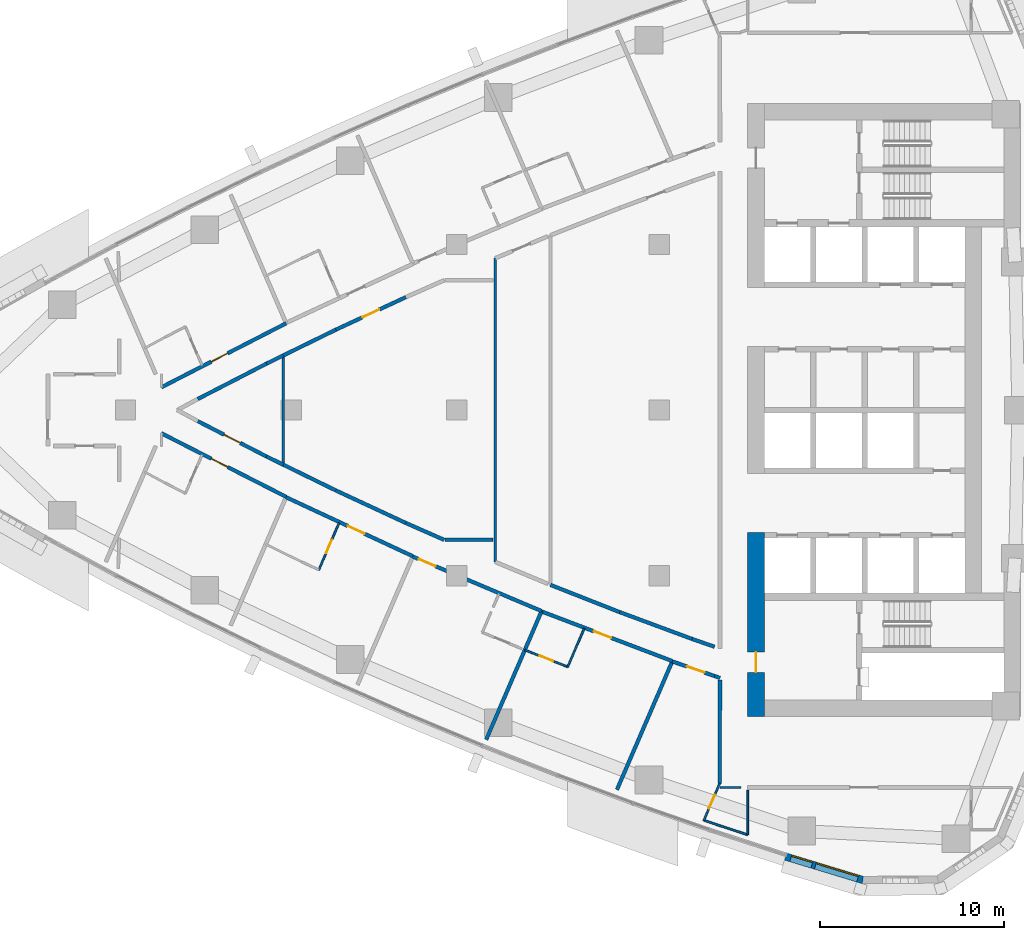
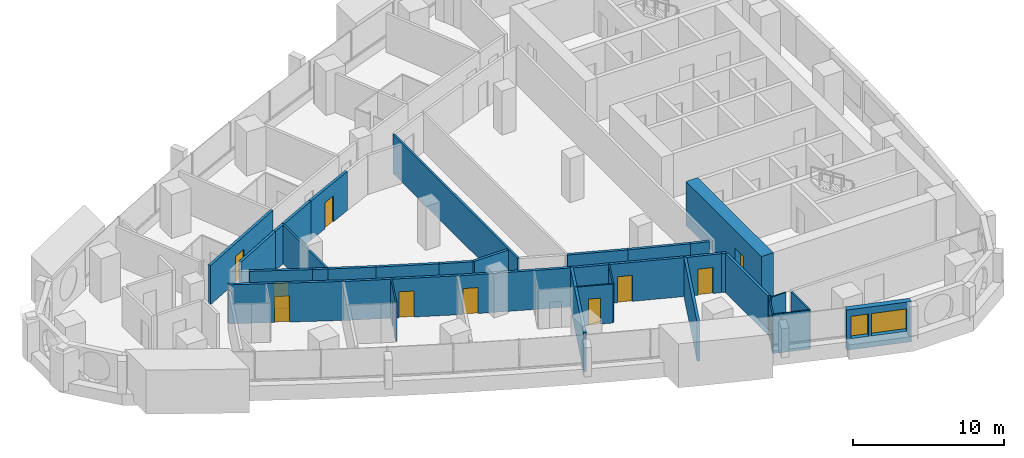
# One storey, part 9 of 17: 34 walls, 12 doors, 2 windows, 14 openings.
"""IFC4 building model written with IfcOpenShell, lengths in metres."""

from ifc_helpers import new_model, si_unit, direction, frame, frame_2d, origin, place, context, subcontext, project, spatial, polyline, rectangle, outline, extrude, material, layer, layer_set, type_object, element, fill, save


model = new_model("IFC4")

# Units and contexts
model_context = context("Model", 3, precision=1e-05, world=origin(), true_north=direction((0.0, 1.0)))
body_context = subcontext(model_context, "Body", "Model", "MODEL_VIEW")
ifc_project = project(units=[si_unit("LENGTHUNIT", "METRE"), si_unit("AREAUNIT", "SQUARE_METRE"), si_unit("VOLUMEUNIT", "CUBIC_METRE"), si_unit("PLANEANGLEUNIT", "RADIAN"), si_unit("MASSUNIT", "GRAM", prefix="KILO")], contexts=[model_context])

# Site, building, storey
site_placement = place(None, origin())
site = spatial("IfcSite", under=ifc_project, at=site_placement, CompositionType="ELEMENT")
building_placement = place(site_placement, origin())
building = spatial("IfcBuilding", under=site, at=building_placement, Name="Ostrand Prow Hotel Tower", CompositionType="ELEMENT")
storey_placement = place(building_placement, frame((0.0, 0.0, 162.14990234375)))
storey = spatial("IfcBuildingStorey", under=building, at=storey_placement, Name="L40", CompositionType="ELEMENT", Elevation=162.14990234375)

# Wall, opening, door
ifc_material_1 = material(Name="Concrete C70/85", Category="concrete")
ifc_layer_1 = layer(ifc_material_1, 0.89990234375)
ifc_layer_set_1 = layer_set([ifc_layer_1], Name="Concrete C70/85")
wall_type_1 = type_object("IfcWallType", Name="Core wall 900 C70/85", PredefinedType="SHEAR", material=ifc_layer_set_1)
wall_1_placement = place(storey_placement, frame((50.25, -16.64990234375, 0.0), z_axis=(0.0, 0.0, 1.0), x_axis=(0.0, 1.0, 0.0)))
wall_1 = element("IfcWall", 1, at=wall_1_placement, inside=storey, type_object=wall_type_1, Name="Core wall CW-W-S", PredefinedType="SHEAR", context=body_context, shape_type="SweptSolid", body=[
    extrude(rectangle(XDim=10.0, YDim=0.89990234375, at=frame_2d((5.0, 0.0))), origin(), (0.0, 0.0, 1.0), 3.550048828125),
])
opening_1_placement = place(wall_1_placement, frame((2.39990234375, 0.0, 0.0)))
opening_1 = element("IfcOpeningElement", 2, at=opening_1_placement, cuts=wall_1, Name="Opening FD1", PredefinedType="OPENING", context=body_context, shape_type="SweptSolid", body=[
    extrude(rectangle(XDim=1.10009765625, YDim=2.10009765625, at=frame_2d((0.550048828125, 1.050048828125))), frame((0.0, 0.4599609375, 0.0), z_axis=(0.0, -1.0, 0.0), x_axis=(1.0, 0.0, 0.0)), (0.0, 0.0, 1.0), 0.919921875),
])
ifc_material_2 = material(Name="Steel fire door", Category="steel")
door_type_1 = type_object("IfcDoorType", Name="Fire door 1100 EI120", OperationType="SINGLE_SWING_RIGHT", PredefinedType="DOOR", material=ifc_material_2)
door_1_placement = place(opening_1_placement, origin())
door_1 = element("IfcDoor", 3, at=door_1_placement, inside=storey, type_object=door_type_1, Name="FIRE DOOR", OperationType="SINGLE_SWING_RIGHT", OverallHeight=2.10009765625, OverallWidth=1.10009765625, PredefinedType="DOOR", context=body_context, shape_type="SweptSolid", body=[
    extrude(rectangle(XDim=1.10009765625, YDim=2.10009765625, at=frame_2d((0.550048828125, 1.050048828125))), frame((0.0, 0.02490234375, 0.0), z_axis=(0.0, -1.0, 0.0), x_axis=(1.0, 0.0, 0.0)), (0.0, 0.0, 1.0), 0.050048828125),
])
fill(opening_1, door_1)

ifc_material_3 = material(Name="Plasterboard partition")
ifc_layer_2 = layer(ifc_material_3, 0.10009765625)
ifc_layer_set_2 = layer_set([ifc_layer_2], Name="Plasterboard partition")
wall_type_2 = type_object("IfcWallType", Name="Partition 100 bathroom wall", PredefinedType="PARTITIONING", material=ifc_layer_set_2)
wall_2_placement = place(storey_placement, frame((27.602783203125, -6.1279296875, 0.0), z_axis=(0.0, 0.0, 1.0), x_axis=(-0.396018464604, -0.918242547311, 0.0)))
wall_2 = element("IfcWall", 4, at=wall_2_placement, inside=storey, type_object=wall_type_2, Name="BATHROOM WALL", PredefinedType="PARTITIONING", context=body_context, shape_type="SweptSolid", body=[
    extrude(rectangle(XDim=2.77783203125, YDim=0.10009765625, at=frame_2d((1.388916015625, 0.0))), origin(), (0.0, 0.0, 1.0), 3.150146484375),
])
opening_2_placement = place(wall_2_placement, frame((1.0, 0.0, 0.0)))
opening_2 = element("IfcOpeningElement", 5, at=opening_2_placement, cuts=wall_2, Name="Opening D2", PredefinedType="OPENING", context=body_context, shape_type="SweptSolid", body=[
    extrude(rectangle(XDim=0.800048828125, YDim=2.10009765625, at=frame_2d((0.39990234375, 1.050048828125))), frame((0.0, 0.06005859375, 0.0), z_axis=(0.0, -1.0, 0.0), x_axis=(1.0, 0.0, 0.0)), (0.0, 0.0, 1.0), 0.1201171875),
])
ifc_material_4 = material(Name="Timber door leaf", Category="wood")
door_type_2 = type_object("IfcDoorType", Name="Bathroom door 800", OperationType="SINGLE_SWING_LEFT", PredefinedType="DOOR", material=ifc_material_4)
door_2_placement = place(opening_2_placement, origin())
door_2 = element("IfcDoor", 6, at=door_2_placement, inside=storey, type_object=door_type_2, Name="DOOR", OperationType="SINGLE_SWING_LEFT", OverallHeight=2.10009765625, OverallWidth=0.800048828125, PredefinedType="DOOR", context=body_context, shape_type="SweptSolid", body=[
    extrude(rectangle(XDim=0.800048828125, YDim=2.10009765625, at=frame_2d((0.39990234375, 1.050048828125))), frame((0.0, 0.02490234375, 0.0), z_axis=(0.0, -1.0, 0.0), x_axis=(1.0, 0.0, 0.0)), (0.0, 0.0, 1.0), 0.050048828125),
])
fill(opening_2, door_2)

# Wall
wall_3_placement = place(storey_placement, frame((40.923095703125, -11.8564453125, 0.0), z_axis=(0.0, 0.0, 1.0), x_axis=(-0.39596178423, -0.918266990275, 0.0)))
element("IfcWall", 7, at=wall_3_placement, inside=storey, type_object=wall_type_2, Name="BATHROOM WALL", PredefinedType="PARTITIONING", context=body_context, shape_type="SweptSolid", body=[
    extrude(rectangle(XDim=2.2783203125, YDim=0.10009765625, at=frame_2d((1.13916015625, 0.0))), origin(), (0.0, 0.0, 1.0), 3.150146484375),
])

# Wall, opening, door
wall_4_placement = place(storey_placement, frame((40.02099609375, -13.948486328125, 0.0), z_axis=(0.0, 0.0, 1.0), x_axis=(-0.930568677441, 0.366117380856, 0.0)))
wall_4 = element("IfcWall", 8, at=wall_4_placement, inside=storey, type_object=wall_type_2, Name="BATHROOM WALL", PredefinedType="PARTITIONING", context=body_context, shape_type="SweptSolid", body=[
    extrude(rectangle(XDim=2.501220703125, YDim=0.10009765625, at=frame_2d((1.25048828125, 0.0))), origin(), (0.0, 0.0, 1.0), 3.150146484375),
])
opening_3_placement = place(wall_4_placement, frame((0.85009765625, 0.0, 0.0)))
opening_3 = element("IfcOpeningElement", 9, at=opening_3_placement, cuts=wall_4, Name="Opening D2", PredefinedType="OPENING", context=body_context, shape_type="SweptSolid", body=[
    extrude(rectangle(XDim=0.800048828125, YDim=2.10009765625, at=frame_2d((0.39990234375, 1.050048828125))), frame((0.0, 0.06005859375, 0.0), z_axis=(0.0, -1.0, 0.0), x_axis=(1.0, 0.0, 0.0)), (0.0, 0.0, 1.0), 0.1201171875),
])
door_3_placement = place(opening_3_placement, origin())
door_3 = element("IfcDoor", 10, at=door_3_placement, inside=storey, type_object=door_type_2, Name="DOOR", OperationType="SINGLE_SWING_LEFT", OverallHeight=2.10009765625, OverallWidth=0.800048828125, PredefinedType="DOOR", context=body_context, shape_type="SweptSolid", body=[
    extrude(rectangle(XDim=0.800048828125, YDim=2.10009765625, at=frame_2d((0.39990234375, 1.050048828125))), frame((0.0, 0.02490234375, 0.0), z_axis=(0.0, -1.0, 0.0), x_axis=(1.0, 0.0, 0.0)), (0.0, 0.0, 1.0), 0.050048828125),
])
fill(opening_3, door_3)

wall_5_placement = place(storey_placement, frame((47.416015625, -22.2890625, 0.0), z_axis=(0.0, 0.0, 1.0), x_axis=(0.396028123143, 0.918238381729, 0.0)))
wall_5 = element("IfcWall", 11, at=wall_5_placement, inside=storey, type_object=wall_type_2, Name="BATHROOM WALL", PredefinedType="PARTITIONING", context=body_context, shape_type="SweptSolid", body=[
    extrude(rectangle(XDim=2.1787109375, YDim=0.10009765625, at=frame_2d((1.08935546875, 0.0))), origin(), (0.0, 0.0, 1.0), 3.150146484375),
])
opening_4_placement = place(wall_5_placement, frame((0.699951171875, 0.0, 0.0)))
opening_4 = element("IfcOpeningElement", 12, at=opening_4_placement, cuts=wall_5, Name="Opening D2", PredefinedType="OPENING", context=body_context, shape_type="SweptSolid", body=[
    extrude(rectangle(XDim=0.800048828125, YDim=2.10009765625, at=frame_2d((0.39990234375, 1.050048828125))), frame((0.0, 0.06005859375, 0.0), z_axis=(0.0, -1.0, 0.0), x_axis=(1.0, 0.0, 0.0)), (0.0, 0.0, 1.0), 0.1201171875),
])
door_4_placement = place(opening_4_placement, origin())
door_4 = element("IfcDoor", 13, at=door_4_placement, inside=storey, type_object=door_type_2, Name="DOOR", OperationType="SINGLE_SWING_LEFT", OverallHeight=2.10009765625, OverallWidth=0.800048828125, PredefinedType="DOOR", context=body_context, shape_type="SweptSolid", body=[
    extrude(rectangle(XDim=0.800048828125, YDim=2.10009765625, at=frame_2d((0.39990234375, 1.050048828125))), frame((0.0, 0.02490234375, 0.0), z_axis=(0.0, -1.0, 0.0), x_axis=(1.0, 0.0, 0.0)), (0.0, 0.0, 1.0), 0.050048828125),
])
fill(opening_4, door_4)

# Walls
wall_6_placement = place(storey_placement, frame((48.298583984375, -20.5048828125, 0.0), z_axis=(0.0, 0.0, 1.0), x_axis=(1.0, 0.0, 0.0)))
element("IfcWall", 14, at=wall_6_placement, inside=storey, type_object=wall_type_2, Name="BATHROOM WALL", PredefinedType="PARTITIONING", context=body_context, shape_type="SweptSolid", body=[
    extrude(rectangle(XDim=1.13525390625, YDim=0.10009765625, at=frame_2d((0.567626953125, 0.0))), origin(), (0.0, 0.0, 1.0), 3.150146484375),
])
wall_7_placement = place(storey_placement, frame((49.800048828125, -20.65576171875, 0.0), z_axis=(0.0, 0.0, 1.0), x_axis=(0.0, -1.0, 0.0)))
element("IfcWall", 15, at=wall_7_placement, inside=storey, type_object=wall_type_2, Name="BATHROOM WALL", PredefinedType="PARTITIONING", context=body_context, shape_type="SweptSolid", body=[
    extrude(rectangle(XDim=2.41845703125, YDim=0.10009765625, at=frame_2d((1.209228515625, 0.0))), origin(), (0.0, 0.0, 1.0), 3.150146484375),
])
wall_8_placement = place(storey_placement, frame((49.800048828125, -23.07421875, 0.0), z_axis=(0.0, 0.0, 1.0), x_axis=(-0.949844078437, 0.312723882455, 0.0)))
element("IfcWall", 16, at=wall_8_placement, inside=storey, type_object=wall_type_2, Name="BATHROOM WALL", PredefinedType="PARTITIONING", context=body_context, shape_type="SweptSolid", body=[
    extrude(rectangle(XDim=2.510009765625, YDim=0.10009765625, at=frame_2d((1.2548828125, 0.0))), origin(), (0.0, 0.0, 1.0), 3.150146484375),
])
ifc_material_5 = material(Name="Plasterboard partition")
ifc_layer_3 = layer(ifc_material_5, 0.14990234375)
ifc_layer_set_3 = layer_set([ifc_layer_3], Name="Plasterboard partition")
wall_type_3 = type_object("IfcWallType", Name="Partition 150 room partition", PredefinedType="PARTITIONING", material=ifc_layer_set_3)
wall_9_placement = place(storey_placement, frame((24.572021484375, -2.968994140625, 0.0), z_axis=(0.0, 0.0, 1.0), x_axis=(0.0, 1.0, 0.0)))
element("IfcWall", 17, at=wall_9_placement, inside=storey, type_object=wall_type_3, Name="ROOM PARTITION", PredefinedType="PARTITIONING", context=body_context, shape_type="SweptSolid", body=[
    extrude(rectangle(XDim=5.93798828125, YDim=0.14990234375, at=frame_2d((2.968994140625, 0.0))), origin(), (0.0, 0.0, 1.0), 3.150146484375),
])
wall_10_placement = place(storey_placement, frame((36.08740234375, -8.25048828125, 0.0), z_axis=(0.0, 0.0, 1.0), x_axis=(0.0, 1.0, 0.0)))
element("IfcWall", 18, at=wall_10_placement, inside=storey, type_object=wall_type_3, Name="ROOM PARTITION", PredefinedType="PARTITIONING", context=body_context, shape_type="SweptSolid", body=[
    extrude(rectangle(XDim=16.5009765625, YDim=0.14990234375, at=frame_2d((8.25048828125, 0.0))), origin(), (0.0, 0.0, 1.0), 3.150146484375),
])

# Wall, opening, door
ifc_material_6 = material(Name="Plasterboard partition")
ifc_layer_4 = layer(ifc_material_6, 0.199951171875)
ifc_layer_set_4 = layer_set([ifc_layer_4], Name="Plasterboard partition")
wall_type_4 = type_object("IfcWallType", Name="Partition 200 corridor wall", PredefinedType="PARTITIONING", material=ifc_layer_set_4)
wall_11_placement = place(storey_placement, frame((17.949951171875, 1.238037109375, 0.0), z_axis=(0.0, 0.0, 1.0), x_axis=(0.889731352077, 0.456484524525, 0.0)))
wall_11 = element("IfcWall", 19, at=wall_11_placement, inside=storey, type_object=wall_type_4, Name="CORRIDOR WALL", PredefinedType="PARTITIONING", context=body_context, shape_type="SweptSolid", body=[
    extrude(rectangle(XDim=7.616943359375, YDim=0.199951171875, at=frame_2d((3.80859375, 0.0))), origin(), (0.0, 0.0, 1.0), 3.150146484375),
])
opening_5_placement = place(wall_11_placement, frame((3.050048828125, 0.0, 0.0)))
opening_5 = element("IfcOpeningElement", 20, at=opening_5_placement, cuts=wall_11, Name="Opening D1", PredefinedType="OPENING", context=body_context, shape_type="SweptSolid", body=[
    extrude(rectangle(XDim=1.0, YDim=2.10009765625, at=frame_2d((0.5, 1.050048828125))), frame((0.0, 0.10986328125, 0.0), z_axis=(0.0, -1.0, 0.0), x_axis=(1.0, 0.0, 0.0)), (0.0, 0.0, 1.0), 0.219970703125),
])
ifc_material_7 = material(Name="Timber door leaf", Category="wood")
door_type_3 = type_object("IfcDoorType", Name="Guest room door 1000", OperationType="SINGLE_SWING_LEFT", PredefinedType="DOOR", material=ifc_material_7)
door_5_placement = place(opening_5_placement, origin())
door_5 = element("IfcDoor", 21, at=door_5_placement, inside=storey, type_object=door_type_3, Name="DOOR", OperationType="SINGLE_SWING_LEFT", OverallHeight=2.10009765625, OverallWidth=1.0, PredefinedType="DOOR", context=body_context, shape_type="SweptSolid", body=[
    extrude(rectangle(XDim=1.0, YDim=2.10009765625, at=frame_2d((0.5, 1.050048828125))), frame((0.0, 0.02490234375, 0.0), z_axis=(0.0, -1.0, 0.0), x_axis=(1.0, 0.0, 0.0)), (0.0, 0.0, 1.0), 0.050048828125),
])
fill(opening_5, door_5)

wall_12_placement = place(storey_placement, frame((17.949951171875, -1.2607421875, 0.0), z_axis=(0.0, 0.0, 1.0), x_axis=(0.890940521951, -0.454120013152, 0.0)))
wall_12 = element("IfcWall", 22, at=wall_12_placement, inside=storey, type_object=wall_type_4, Name="CORRIDOR WALL", PredefinedType="PARTITIONING", context=body_context, shape_type="SweptSolid", body=[
    extrude(rectangle(XDim=7.606689453125, YDim=0.199951171875, at=frame_2d((3.80322265625, 0.0))), origin(), (0.0, 0.0, 1.0), 3.150146484375),
])
opening_6_placement = place(wall_12_placement, frame((3.050048828125, 0.0, 0.0)))
opening_6 = element("IfcOpeningElement", 23, at=opening_6_placement, cuts=wall_12, Name="Opening D1", PredefinedType="OPENING", context=body_context, shape_type="SweptSolid", body=[
    extrude(rectangle(XDim=1.0, YDim=2.10009765625, at=frame_2d((0.5, 1.050048828125))), frame((0.0, 0.10986328125, 0.0), z_axis=(0.0, -1.0, 0.0), x_axis=(1.0, 0.0, 0.0)), (0.0, 0.0, 1.0), 0.219970703125),
])
door_6_placement = place(opening_6_placement, origin())
door_6 = element("IfcDoor", 24, at=door_6_placement, inside=storey, type_object=door_type_3, Name="DOOR", OperationType="SINGLE_SWING_LEFT", OverallHeight=2.10009765625, OverallWidth=1.0, PredefinedType="DOOR", context=body_context, shape_type="SweptSolid", body=[
    extrude(rectangle(XDim=1.0, YDim=2.10009765625, at=frame_2d((0.5, 1.050048828125))), frame((0.0, 0.02490234375, 0.0), z_axis=(0.0, -1.0, 0.0), x_axis=(1.0, 0.0, 0.0)), (0.0, 0.0, 1.0), 0.050048828125),
])
fill(opening_6, door_6)

wall_13_placement = place(storey_placement, frame((24.71923828125, -4.7333984375, 0.0), z_axis=(0.0, 0.0, 1.0), x_axis=(0.906593711122, -0.422004553238, 0.0)))
wall_13 = element("IfcWall", 25, at=wall_13_placement, inside=storey, type_object=wall_type_4, Name="CORRIDOR WALL", PredefinedType="PARTITIONING", context=body_context, shape_type="SweptSolid", body=[
    extrude(rectangle(XDim=7.60302734375, YDim=0.199951171875, at=frame_2d((3.801513671875, 0.0))), origin(), (0.0, 0.0, 1.0), 3.150146484375),
])
opening_7_placement = place(wall_13_placement, frame((3.699951171875, 0.0, 0.0)))
opening_7 = element("IfcOpeningElement", 26, at=opening_7_placement, cuts=wall_13, Name="Opening D1", PredefinedType="OPENING", context=body_context, shape_type="SweptSolid", body=[
    extrude(rectangle(XDim=1.0, YDim=2.10009765625, at=frame_2d((0.5, 1.050048828125))), frame((0.0, 0.10986328125, 0.0), z_axis=(0.0, -1.0, 0.0), x_axis=(1.0, 0.0, 0.0)), (0.0, 0.0, 1.0), 0.219970703125),
])
door_7_placement = place(opening_7_placement, origin())
door_7 = element("IfcDoor", 27, at=door_7_placement, inside=storey, type_object=door_type_3, Name="DOOR", OperationType="SINGLE_SWING_LEFT", OverallHeight=2.10009765625, OverallWidth=1.0, PredefinedType="DOOR", context=body_context, shape_type="SweptSolid", body=[
    extrude(rectangle(XDim=1.0, YDim=2.10009765625, at=frame_2d((0.5, 1.050048828125))), frame((0.0, 0.02490234375, 0.0), z_axis=(0.0, -1.0, 0.0), x_axis=(1.0, 0.0, 0.0)), (0.0, 0.0, 1.0), 0.050048828125),
])
fill(opening_7, door_7)

wall_14_placement = place(storey_placement, frame((31.604248046875, -7.960205078125, 0.0), z_axis=(0.0, 0.0, 1.0), x_axis=(0.921069634751, -0.389397904386, 0.0)))
wall_14 = element("IfcWall", 28, at=wall_14_placement, inside=storey, type_object=wall_type_4, Name="CORRIDOR WALL", PredefinedType="PARTITIONING", context=body_context, shape_type="SweptSolid", body=[
    extrude(rectangle(XDim=7.60009765625, YDim=0.199951171875, at=frame_2d((3.800048828125, 0.0))), origin(), (0.0, 0.0, 1.0), 3.150146484375),
])
opening_8_placement = place(wall_14_placement, frame((0.35009765625, 0.0, 0.0)))
opening_8 = element("IfcOpeningElement", 29, at=opening_8_placement, cuts=wall_14, Name="Opening D1", PredefinedType="OPENING", context=body_context, shape_type="SweptSolid", body=[
    extrude(rectangle(XDim=1.0, YDim=2.10009765625, at=frame_2d((0.5, 1.050048828125))), frame((0.0, 0.10986328125, 0.0), z_axis=(0.0, -1.0, 0.0), x_axis=(1.0, 0.0, 0.0)), (0.0, 0.0, 1.0), 0.219970703125),
])
door_8_placement = place(opening_8_placement, origin())
door_8 = element("IfcDoor", 30, at=door_8_placement, inside=storey, type_object=door_type_3, Name="DOOR", OperationType="SINGLE_SWING_LEFT", OverallHeight=2.10009765625, OverallWidth=1.0, PredefinedType="DOOR", context=body_context, shape_type="SweptSolid", body=[
    extrude(rectangle(XDim=1.0, YDim=2.10009765625, at=frame_2d((0.5, 1.050048828125))), frame((0.0, 0.02490234375, 0.0), z_axis=(0.0, -1.0, 0.0), x_axis=(1.0, 0.0, 0.0)), (0.0, 0.0, 1.0), 0.050048828125),
])
fill(opening_8, door_8)

wall_15_placement = place(storey_placement, frame((38.5966796875, -10.93798828125, 0.0), z_axis=(0.0, 0.0, 1.0), x_axis=(0.934963762263, -0.354743235672, 0.0)))
wall_15 = element("IfcWall", 31, at=wall_15_placement, inside=storey, type_object=wall_type_4, Name="CORRIDOR WALL", PredefinedType="PARTITIONING", context=body_context, shape_type="SweptSolid", body=[
    extrude(rectangle(XDim=7.607666015625, YDim=0.199951171875, at=frame_2d((3.8037109375, 0.0))), origin(), (0.0, 0.0, 1.0), 3.150146484375),
])
opening_9_placement = place(wall_15_placement, frame((3.050048828125, 0.0, 0.0)))
opening_9 = element("IfcOpeningElement", 32, at=opening_9_placement, cuts=wall_15, Name="Opening D1", PredefinedType="OPENING", context=body_context, shape_type="SweptSolid", body=[
    extrude(rectangle(XDim=1.0, YDim=2.10009765625, at=frame_2d((0.5, 1.050048828125))), frame((0.0, 0.10986328125, 0.0), z_axis=(0.0, -1.0, 0.0), x_axis=(1.0, 0.0, 0.0)), (0.0, 0.0, 1.0), 0.219970703125),
])
door_9_placement = place(opening_9_placement, origin())
door_9 = element("IfcDoor", 33, at=door_9_placement, inside=storey, type_object=door_type_3, Name="DOOR", OperationType="SINGLE_SWING_LEFT", OverallHeight=2.10009765625, OverallWidth=1.0, PredefinedType="DOOR", context=body_context, shape_type="SweptSolid", body=[
    extrude(rectangle(XDim=1.0, YDim=2.10009765625, at=frame_2d((0.5, 1.050048828125))), frame((0.0, 0.02490234375, 0.0), z_axis=(0.0, -1.0, 0.0), x_axis=(1.0, 0.0, 0.0)), (0.0, 0.0, 1.0), 0.050048828125),
])
fill(opening_9, door_9)

wall_16_placement = place(storey_placement, frame((23.65869140625, -2.52197265625, 0.0), z_axis=(0.0, 0.0, 1.0), x_axis=(-0.889140337289, 0.457634636589, 0.0)))
wall_16 = element("IfcWall", 34, at=wall_16_placement, inside=storey, type_object=wall_type_4, Name="CORRIDOR WALL", PredefinedType="PARTITIONING", context=body_context, shape_type="SweptSolid", body=[
    extrude(rectangle(XDim=4.1953125, YDim=0.199951171875, at=frame_2d((2.09765625, 0.0))), origin(), (0.0, 0.0, 1.0), 3.150146484375),
])
opening_10_placement = place(wall_16_placement, frame((1.59765625, 0.0, 0.0)))
opening_10 = element("IfcOpeningElement", 35, at=opening_10_placement, cuts=wall_16, Name="Opening D1R", PredefinedType="OPENING", context=body_context, shape_type="SweptSolid", body=[
    extrude(rectangle(XDim=1.0, YDim=2.10009765625, at=frame_2d((0.5, 1.050048828125))), frame((0.0, 0.10986328125, 0.0), z_axis=(0.0, -1.0, 0.0), x_axis=(1.0, 0.0, 0.0)), (0.0, 0.0, 1.0), 0.219970703125),
])
ifc_material_8 = material(Name="Timber door leaf", Category="wood")
door_type_4 = type_object("IfcDoorType", Name="Guest room door 1000 right", OperationType="SINGLE_SWING_RIGHT", PredefinedType="DOOR", material=ifc_material_8)
door_10_placement = place(opening_10_placement, origin())
door_10 = element("IfcDoor", 36, at=door_10_placement, inside=storey, type_object=door_type_4, Name="DOOR", OperationType="SINGLE_SWING_RIGHT", OverallHeight=2.10009765625, OverallWidth=1.0, PredefinedType="DOOR", context=body_context, shape_type="SweptSolid", body=[
    extrude(rectangle(XDim=1.0, YDim=2.10009765625, at=frame_2d((0.5, 1.050048828125))), frame((0.0, 0.02490234375, 0.0), z_axis=(0.0, -1.0, 0.0), x_axis=(1.0, 0.0, 0.0)), (0.0, 0.0, 1.0), 0.050048828125),
])
fill(opening_10, door_10)

# Walls
wall_17_placement = place(storey_placement, frame((19.928466796875, 0.60205078125, 0.0), z_axis=(0.0, 0.0, 1.0), x_axis=(0.889140337289, 0.457634636589, 0.0)))
element("IfcWall", 37, at=wall_17_placement, inside=storey, type_object=wall_type_4, Name="CORRIDOR WALL", PredefinedType="PARTITIONING", context=body_context, shape_type="SweptSolid", body=[
    extrude(rectangle(XDim=4.1953125, YDim=0.199951171875, at=frame_2d((2.09765625, 0.0))), origin(), (0.0, 0.0, 1.0), 3.150146484375),
])
for number, where, z_axis, x_axis, name in (
    (38, (23.65869140625, 2.52197265625, 0.0), (0.0, 0.0, 1.0), (0.898188484258, 0.439610562597, 0.0), "CORRIDOR WALL"),
    (39, (24.572021484375, -2.968994140625, 0.0), (0.0, 0.0, 1.0), (-0.898188484258, 0.439610562597, 0.0), "CORRIDOR WALL"),
):
    element("IfcWall", number, at=place(storey_placement, frame(where, z_axis=z_axis, x_axis=x_axis)), inside=storey, type_object=wall_type_4, Name=name, PredefinedType="PARTITIONING", context=body_context, shape_type="SweptSolid", body=[
        extrude(rectangle(XDim=1.016845703125, YDim=0.199951171875, at=frame_2d((0.50830078125, 0.0))), origin(), (0.0, 0.0, 1.0), 3.150146484375),
    ])

# Wall, opening, door
wall_18_placement = place(storey_placement, frame((27.4267578125, 4.36669921875, 0.0), z_axis=(0.0, 0.0, 1.0), x_axis=(0.906830275285, 0.421495968933, 0.0)))
wall_18 = element("IfcWall", 40, at=wall_18_placement, inside=storey, type_object=wall_type_4, Name="CORRIDOR WALL", PredefinedType="PARTITIONING", context=body_context, shape_type="SweptSolid", body=[
    extrude(rectangle(XDim=4.1953125, YDim=0.199951171875, at=frame_2d((2.09765625, 0.0))), origin(), (0.0, 0.0, 1.0), 3.150146484375),
])
opening_11_placement = place(wall_18_placement, frame((1.59765625, 0.0, 0.0)))
opening_11 = element("IfcOpeningElement", 41, at=opening_11_placement, cuts=wall_18, Name="Opening D1", PredefinedType="OPENING", context=body_context, shape_type="SweptSolid", body=[
    extrude(rectangle(XDim=1.0, YDim=2.10009765625, at=frame_2d((0.5, 1.050048828125))), frame((0.0, 0.10986328125, 0.0), z_axis=(0.0, -1.0, 0.0), x_axis=(1.0, 0.0, 0.0)), (0.0, 0.0, 1.0), 0.219970703125),
])
door_11_placement = place(opening_11_placement, origin())
door_11 = element("IfcDoor", 42, at=door_11_placement, inside=storey, type_object=door_type_3, Name="DOOR", OperationType="SINGLE_SWING_LEFT", OverallHeight=2.10009765625, OverallWidth=1.0, PredefinedType="DOOR", context=body_context, shape_type="SweptSolid", body=[
    extrude(rectangle(XDim=1.0, YDim=2.10009765625, at=frame_2d((0.5, 1.050048828125))), frame((0.0, 0.02490234375, 0.0), z_axis=(0.0, -1.0, 0.0), x_axis=(1.0, 0.0, 0.0)), (0.0, 0.0, 1.0), 0.050048828125),
])
fill(opening_11, door_11)

# Walls
wall_19_placement = place(storey_placement, frame((33.307861328125, -7.050048828125, 0.0), z_axis=(0.0, 0.0, 1.0), x_axis=(-0.915102334452, 0.403221672881, 0.0)))
element("IfcWall", 43, at=wall_19_placement, inside=storey, type_object=wall_type_4, Name="CORRIDOR WALL", PredefinedType="PARTITIONING", context=body_context, shape_type="SweptSolid", body=[
    extrude(rectangle(XDim=2.269287109375, YDim=0.199951171875, at=frame_2d((1.134765625, 0.0))), origin(), (0.0, 0.0, 1.0), 3.150146484375),
])
wall_20_placement = place(storey_placement, frame((31.231201171875, -6.135009765625, 0.0), z_axis=(0.0, 0.0, 1.0), x_axis=(-0.906830275285, 0.421495968933, 0.0)))
element("IfcWall", 44, at=wall_20_placement, inside=storey, type_object=wall_type_4, Name="CORRIDOR WALL", PredefinedType="PARTITIONING", context=body_context, shape_type="SweptSolid", body=[
    extrude(rectangle(XDim=4.1953125, YDim=0.199951171875, at=frame_2d((2.09765625, 0.0))), origin(), (0.0, 0.0, 1.0), 3.150146484375),
])
for number, where, z_axis, x_axis, name in (
    (45, (27.4267578125, -4.36669921875, 0.0), (0.0, 0.0, 1.0), (-0.898128954367, 0.439732169995, 0.0), "CORRIDOR WALL"),
    (46, (24.572021484375, 2.968994140625, 0.0), (0.0, 0.0, 1.0), (0.898128954367, 0.439732169995, 0.0), "CORRIDOR WALL"),
):
    element("IfcWall", number, at=place(storey_placement, frame(where, z_axis=z_axis, x_axis=x_axis)), inside=storey, type_object=wall_type_4, Name=name, PredefinedType="PARTITIONING", context=body_context, shape_type="SweptSolid", body=[
        extrude(rectangle(XDim=3.178466796875, YDim=0.199951171875, at=frame_2d((1.58935546875, 0.0))), origin(), (0.0, 0.0, 1.0), 3.150146484375),
    ])
wall_21_placement = place(storey_placement, frame((46.78125, -12.43408203125, 0.0), z_axis=(0.0, 0.0, 1.0), x_axis=(-0.937732614305, 0.347357948044, 0.0)))
element("IfcWall", 47, at=wall_21_placement, inside=storey, type_object=wall_type_4, Name="CORRIDOR WALL", PredefinedType="PARTITIONING", context=body_context, shape_type="SweptSolid", body=[
    extrude(rectangle(XDim=4.1953125, YDim=0.199951171875, at=frame_2d((2.09765625, 0.0))), origin(), (0.0, 0.0, 1.0), 3.150146484375),
])
wall_22_placement = place(storey_placement, frame((42.84716796875, -10.976806640625, 0.0), z_axis=(0.0, 0.0, 1.0), x_axis=(-0.930586875578, 0.366071122873, 0.0)))
element("IfcWall", 48, at=wall_22_placement, inside=storey, type_object=wall_type_4, Name="CORRIDOR WALL", PredefinedType="PARTITIONING", context=body_context, shape_type="SweptSolid", body=[
    extrude(rectangle(XDim=4.040283203125, YDim=0.199951171875, at=frame_2d((2.02001953125, 0.0))), origin(), (0.0, 0.0, 1.0), 3.150146484375),
])

# Wall, opening, door
wall_23_placement = place(storey_placement, frame((45.70166015625, -13.655029296875, 0.0), z_axis=(0.0, 0.0, 1.0), x_axis=(0.945472196346, -0.325702818435, 0.0)))
wall_23 = element("IfcWall", 49, at=wall_23_placement, inside=storey, type_object=wall_type_4, Name="CORRIDOR WALL", PredefinedType="PARTITIONING", context=body_context, shape_type="SweptSolid", body=[
    extrude(rectangle(XDim=2.430908203125, YDim=0.199951171875, at=frame_2d((1.21533203125, 0.0))), origin(), (0.0, 0.0, 1.0), 3.150146484375),
])
opening_12_placement = place(wall_23_placement, frame((0.85009765625, 0.0, 0.0)))
opening_12 = element("IfcOpeningElement", 50, at=opening_12_placement, cuts=wall_23, Name="Opening D1", PredefinedType="OPENING", context=body_context, shape_type="SweptSolid", body=[
    extrude(rectangle(XDim=1.0, YDim=2.10009765625, at=frame_2d((0.5, 1.050048828125))), frame((0.0, 0.10986328125, 0.0), z_axis=(0.0, -1.0, 0.0), x_axis=(1.0, 0.0, 0.0)), (0.0, 0.0, 1.0), 0.219970703125),
])
door_12_placement = place(opening_12_placement, origin())
door_12 = element("IfcDoor", 51, at=door_12_placement, inside=storey, type_object=door_type_3, Name="DOOR", OperationType="SINGLE_SWING_LEFT", OverallHeight=2.10009765625, OverallWidth=1.0, PredefinedType="DOOR", context=body_context, shape_type="SweptSolid", body=[
    extrude(rectangle(XDim=1.0, YDim=2.10009765625, at=frame_2d((0.5, 1.050048828125))), frame((0.0, 0.02490234375, 0.0), z_axis=(0.0, -1.0, 0.0), x_axis=(1.0, 0.0, 0.0)), (0.0, 0.0, 1.0), 0.050048828125),
])
fill(opening_12, door_12)

# Walls
wall_24_placement = place(storey_placement, frame((48.0, -12.85791015625, 0.0), z_axis=(0.0, 0.0, 1.0), x_axis=(-0.944517215109, 0.328461916152, 0.0)))
element("IfcWall", 52, at=wall_24_placement, inside=storey, type_object=wall_type_4, Name="CORRIDOR WALL", PredefinedType="PARTITIONING", context=body_context, shape_type="SweptSolid", body=[
    extrude(rectangle(XDim=1.290283203125, YDim=0.199951171875, at=frame_2d((0.64501953125, 0.0))), origin(), (0.0, 0.0, 1.0), 3.150146484375),
])
wall_25_placement = place(storey_placement, frame((35.951904296875, -7.04541015625, 0.0), z_axis=(0.0, 0.0, 1.0), x_axis=(-0.999999982426, 0.000187476562, 0.0)))
element("IfcWall", 53, at=wall_25_placement, inside=storey, type_object=wall_type_4, Name="CORRIDOR WALL", PredefinedType="PARTITIONING", context=body_context, shape_type="SweptSolid", body=[
    extrude(rectangle(XDim=2.6044921875, YDim=0.199951171875, at=frame_2d((1.30224609375, 0.0))), origin(), (0.0, 0.0, 1.0), 3.150146484375),
])
wall_26_placement = place(storey_placement, frame((48.0, -14.44677734375, 0.0), z_axis=(0.0, 0.0, 1.0), x_axis=(0.940111128087, -0.3408681077, 0.0)))
element("IfcWall", 54, at=wall_26_placement, inside=storey, type_object=wall_type_4, Name="CORRIDOR WALL", PredefinedType="PARTITIONING", context=body_context, shape_type="SweptSolid", body=[
    extrude(rectangle(XDim=0.313720703125, YDim=0.199951171875, at=frame_2d((0.15673828125, 0.0))), origin(), (0.0, 0.0, 1.0), 3.150146484375),
])
wall_27_placement = place(storey_placement, frame((48.294921875, -14.673583984375, 0.0), z_axis=(0.0, 0.0, 1.0), x_axis=(-0.00286967817, -0.999995882465, 0.0)))
element("IfcWall", 55, at=wall_27_placement, inside=storey, type_object=wall_type_4, Name="CORRIDOR WALL", PredefinedType="PARTITIONING", context=body_context, shape_type="SweptSolid", body=[
    extrude(rectangle(XDim=5.614990234375, YDim=0.199951171875, at=frame_2d((2.8076171875, 0.0))), origin(), (0.0, 0.0, 1.0), 3.150146484375),
])
ifc_material_9 = material(Name="Plasterboard partition")
ifc_layer_5 = layer(ifc_material_9, 0.199951171875)
ifc_layer_set_5 = layer_set([ifc_layer_5], Name="Plasterboard partition")
wall_type_5 = type_object("IfcWallType", Name="Partition 200 key partition", PredefinedType="PARTITIONING", material=ifc_layer_set_5)
wall_28_placement = place(storey_placement, frame((35.593505859375, -17.902099609375, 0.0), z_axis=(0.0, 0.0, 1.0), x_axis=(0.395975928923, 0.918260890877, 0.0)))
element("IfcWall", 56, at=wall_28_placement, inside=storey, type_object=wall_type_5, Name="KEY PARTITION", PredefinedType="PARTITIONING", context=body_context, shape_type="SweptSolid", body=[
    extrude(rectangle(XDim=7.60400390625, YDim=0.199951171875, at=frame_2d((3.802001953125, 0.0))), origin(), (0.0, 0.0, 1.0), 3.150146484375),
])
wall_29_placement = place(storey_placement, frame((42.69580078125, -20.625, 0.0), z_axis=(0.0, 0.0, 1.0), x_axis=(0.395993528256, 0.918253301426, 0.0)))
element("IfcWall", 57, at=wall_29_placement, inside=storey, type_object=wall_type_5, Name="KEY PARTITION", PredefinedType="PARTITIONING", context=body_context, shape_type="SweptSolid", body=[
    extrude(rectangle(XDim=7.6103515625, YDim=0.199951171875, at=frame_2d((3.80517578125, 0.0))), origin(), (0.0, 0.0, 1.0), 3.150146484375),
])

# Wall, openings, windows
ifc_material_10 = material(Name="Precast concrete C40/50", Category="concrete")
ifc_layer_6 = layer(ifc_material_10, 0.39990234375)
ifc_layer_set_6 = layer_set([ifc_layer_6], Name="Precast concrete C40/50")
wall_type_6 = type_object("IfcWallType", Name="Stone-faced precast wall 400 mm", PredefinedType="NOTDEFINED", material=ifc_layer_set_6)
wall_30_placement = place(storey_placement, frame((51.85888671875, -24.257080078125, 0.0), z_axis=(0.0, 0.0, 1.0), x_axis=(0.956964488344, -0.290205044837, 0.0)))
wall_30 = element("IfcWall", 58, at=wall_30_placement, inside=storey, type_object=wall_type_6, Name="Stone-faced wall back 1", PredefinedType="NOTDEFINED", context=body_context, shape_type="SweptSolid", body=[
    extrude(outline(polyline([(0.0, -0.199951171875), (4.41845703125, -0.199951171875), (4.357421875, 0.199951171875), (0.0, 0.199951171875), (0.0, -0.199951171875)])), origin(), (0.0, 0.0, 1.0), 3.25),
])
opening_13_placement = place(wall_30_placement, frame((0.2939453125, 0.0, 0.89990234375)))
opening_13 = element("IfcOpeningElement", 59, at=opening_13_placement, cuts=wall_30, Name="Opening WS4", PredefinedType="OPENING", context=body_context, shape_type="SweptSolid", body=[
    extrude(rectangle(XDim=1.199951171875, YDim=1.800048828125, at=frame_2d((0.60009765625, 0.89990234375))), frame((0.0, 0.2099609375, 0.0), z_axis=(0.0, -1.0, 0.0), x_axis=(1.0, 0.0, 0.0)), (0.0, 0.0, 1.0), 0.419921875),
])
opening_14_placement = place(wall_30_placement, frame((1.694091796875, 0.0, 0.89990234375)))
opening_14 = element("IfcOpeningElement", 60, at=opening_14_placement, cuts=wall_30, Name="Opening WS5-24", PredefinedType="OPENING", context=body_context, shape_type="SweptSolid", body=[
    extrude(rectangle(XDim=2.39990234375, YDim=1.800048828125, at=frame_2d((1.199951171875, 0.89990234375))), frame((0.0, 0.2099609375, 0.0), z_axis=(0.0, -1.0, 0.0), x_axis=(1.0, 0.0, 0.0)), (0.0, 0.0, 1.0), 0.419921875),
])
ifc_material_11 = material(Name="Insulated glass in bronze frame", Category="glass")
window_type_1 = type_object("IfcWindowType", Name="Fixed strip window 2400x1800", PartitioningType="SINGLE_PANEL", PredefinedType="WINDOW", material=ifc_material_11)
window_1_placement = place(opening_14_placement, origin())
window_1 = element("IfcWindow", 61, at=window_1_placement, inside=storey, type_object=window_type_1, Name="Window back 1.2", OverallHeight=1.800048828125, OverallWidth=2.39990234375, PartitioningType="SINGLE_PANEL", PredefinedType="WINDOW", context=body_context, shape_type="SweptSolid", body=[
    extrude(rectangle(XDim=2.39990234375, YDim=1.800048828125, at=frame_2d((1.199951171875, 0.89990234375))), frame((0.0, 0.169921875, 0.0), z_axis=(0.0, -1.0, 0.0), x_axis=(1.0, 0.0, 0.0)), (0.0, 0.0, 1.0), 0.06005859375),
])
fill(opening_14, window_1)
ifc_material_12 = material(Name="Insulated glass in bronze frame", Category="glass")
window_type_2 = type_object("IfcWindowType", Name="Operable strip panel 1200x1800", PartitioningType="SINGLE_PANEL", PredefinedType="WINDOW", material=ifc_material_12)
window_2_placement = place(opening_13_placement, origin())
window_2 = element("IfcWindow", 62, at=window_2_placement, inside=storey, type_object=window_type_2, Name="Window back 1.1", OverallHeight=1.800048828125, OverallWidth=1.199951171875, PartitioningType="SINGLE_PANEL", PredefinedType="WINDOW", context=body_context, shape_type="SweptSolid", body=[
    extrude(rectangle(XDim=1.199951171875, YDim=1.800048828125, at=frame_2d((0.60009765625, 0.89990234375))), frame((0.0, 0.169921875, 0.0), z_axis=(0.0, -1.0, 0.0), x_axis=(1.0, 0.0, 0.0)), (0.0, 0.0, 1.0), 0.06005859375),
])
fill(opening_13, window_2)

save(model, "model.ifc")
